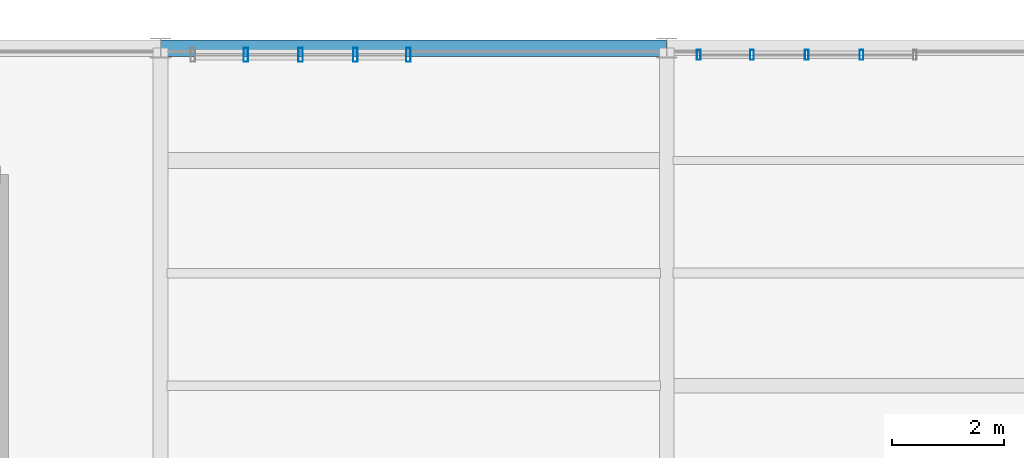
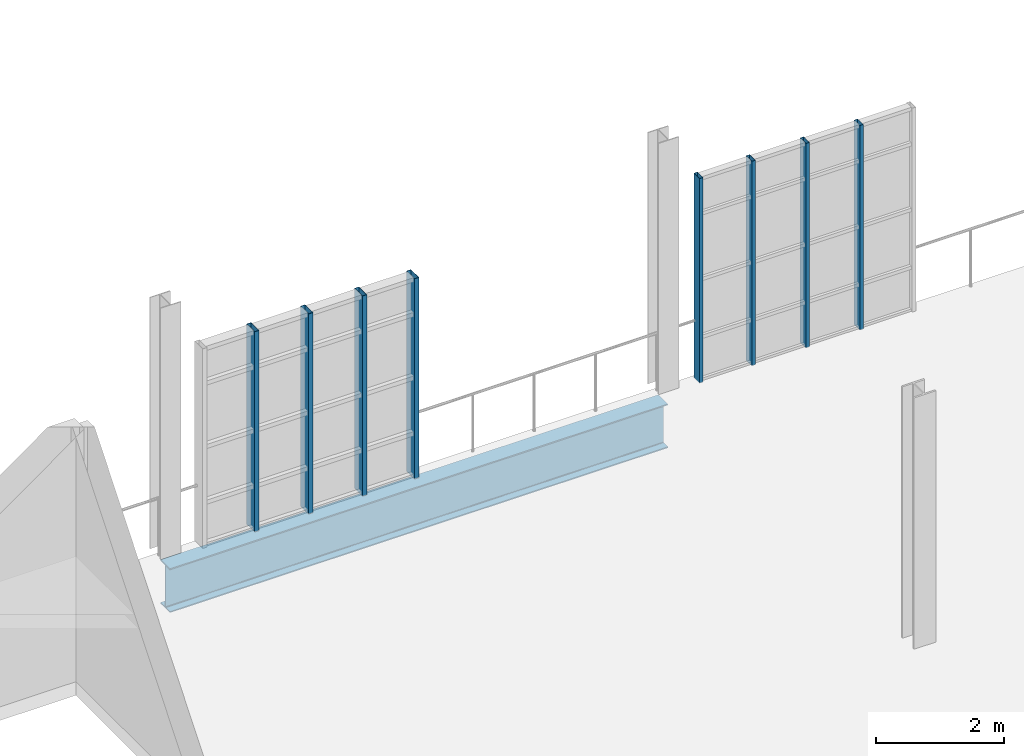
# One storey, part 50 of 122: 8 members, 1 beam, 2 elements without a shape of their own.
"""IFC4 building model written with IfcOpenShell, lengths in metres."""

import ifcopenshell
import ifcopenshell.guid

model = None  # the IFC model being written
_history = None  # IfcOwnerHistory: only IFC2X3 demands one
_inside = {}  # id of a spatial element -> (the spatial element, [elements in it])
_under = {}  # id of a project, library or spatial element -> (it, [spatial elements below it])
_declared = {}  # id of a project -> (the project, [libraries it declares])
_typed = {}  # id of a type object -> (the type object, [elements of that type])
_made_of = {}  # id of a material, layer set ... -> (it, [elements and type objects made of it])


def new_model(schema):
    """Start an empty IFC model of exactly this schema.

    Asked for "IFC4X3", IfcOpenShell would pick the latest addendum, in which some entities
    have other attributes; the version numbers below select the first issue.
    IFC2X3 requires an IfcOwnerHistory on every rooted entity: one is made here for all.
    """
    global model, _history
    if schema == "IFC4X3":
        model = ifcopenshell.file(schema_version=(4, 3, 0, 0))
    else:
        model = ifcopenshell.file(schema=schema)
    _inside.clear()
    _under.clear()
    _declared.clear()
    _typed.clear()
    _made_of.clear()
    _history = None
    if model.schema == "IFC2X3":
        org = make("IfcOrganization", Name="unknown")
        user = make(
            "IfcPersonAndOrganization",
            ThePerson=make("IfcPerson", FamilyName="unknown"),
            TheOrganization=org,
        )
        app = make(
            "IfcApplication",
            ApplicationDeveloper=org,
            Version="unknown",
            ApplicationFullName="unknown",
            ApplicationIdentifier="unknown",
        )
        _history = make(
            "IfcOwnerHistory",
            OwningUser=user,
            OwningApplication=app,
            ChangeAction="ADDED",
            CreationDate=0,
        )
    return model


def make(cls, **values):
    """One entity of the class cls with the attributes given. An attribute that is None is left unset."""
    return model.create_entity(
        cls, **{name: value for name, value in values.items() if value is not None}
    )


def rooted(cls, **values):
    """An entity with a GlobalId (a new one), such as an element, a storey or a relation."""
    return make(cls, GlobalId=ifcopenshell.guid.new(), OwnerHistory=_history, **values)


def si_unit(unit_type, name, prefix=None):
    """IfcSIUnit, for example si_unit("LENGTHUNIT", "METRE", prefix="MILLI")."""
    return make("IfcSIUnit", UnitType=unit_type, Prefix=prefix, Name=name)


def assignment(units):
    """IfcUnitAssignment: the units of a project."""
    return None if units is None else make("IfcUnitAssignment", Units=units)


def point(xyz):
    """IfcCartesianPoint."""
    return None if xyz is None else make("IfcCartesianPoint", Coordinates=xyz)


def direction(xyz):
    """IfcDirection."""
    return None if xyz is None else make("IfcDirection", DirectionRatios=xyz)


def frame(location, z_axis=None, x_axis=None):
    """IfcAxis2Placement3D, a coordinate frame: its origin and axes. An axis left out is left unset."""
    return make(
        "IfcAxis2Placement3D",
        Location=point(location),
        Axis=direction(z_axis),
        RefDirection=direction(x_axis),
    )


def frame_2d(location, x_axis=None):
    """IfcAxis2Placement2D, a coordinate frame in the plane: its origin and x axis."""
    return make(
        "IfcAxis2Placement2D", Location=point(location), RefDirection=direction(x_axis)
    )


def origin():
    """The frame at (0, 0, 0) with its axes left unset."""
    return frame((0.0, 0.0, 0.0))


def origin_2d():
    """The frame at (0, 0) in the plane with its x axis left unset."""
    return frame_2d((0.0, 0.0))


def place(relative_to, where):
    """IfcLocalPlacement: puts the frame where relative to a parent placement (None: the world)."""
    return make(
        "IfcLocalPlacement", PlacementRelTo=relative_to, RelativePlacement=where
    )


def context(
    kind, dimensions, precision=None, world=None, true_north=None, identifier=None
):
    """IfcGeometricRepresentationContext, for example the 3D "Model" context."""
    return make(
        "IfcGeometricRepresentationContext",
        ContextIdentifier=identifier,
        ContextType=kind,
        CoordinateSpaceDimension=dimensions,
        Precision=precision,
        WorldCoordinateSystem=world,
        TrueNorth=true_north,
    )


def subcontext(parent, identifier, kind, view, scale=None):
    """IfcGeometricRepresentationSubContext, for example "Body" below "Model"."""
    return make(
        "IfcGeometricRepresentationSubContext",
        ContextIdentifier=identifier,
        ContextType=kind,
        ParentContext=parent,
        TargetScale=scale,
        TargetView=view,
    )


def project(units=None, contexts=None):
    """IfcProject with its units and contexts."""
    return rooted(
        "IfcProject",
        Name="project",
        RepresentationContexts=contexts,
        UnitsInContext=assignment(units),
    )


def spatial(cls, under=None, at=None, **own):
    """A site, building, storey or space (cls), placed at a placement, below another one or the project."""
    s = rooted(cls, ObjectPlacement=at, **own)
    if under is not None:
        _under.setdefault(under.id(), (under, []))[1].append(s)
    return s


def profile(cls, at=None, kind="AREA", **sizes):
    """A parametric profile (cls). Its sizes go by their IFC names, for example OverallWidth=200.0."""
    return make(cls, ProfileType=kind, Position=at, **sizes)


def hollow_rectangle(**sizes):
    """IfcRectangleHollowProfileDef."""
    return profile("IfcRectangleHollowProfileDef", **sizes)


def i_section(**sizes):
    """IfcIShapeProfileDef."""
    return profile("IfcIShapeProfileDef", **sizes)


def extrude(swept, where, along, depth):
    """IfcExtrudedAreaSolid: the profile swept, set in the frame where, extruded along a direction by depth."""
    return make(
        "IfcExtrudedAreaSolid",
        SweptArea=swept,
        Position=where,
        ExtrudedDirection=direction(along),
        Depth=depth,
    )


def shape(context_of_items, identifier, shape_type, items):
    """IfcShapeRepresentation: the items that make up one representation, for example the "Body"."""
    return make(
        "IfcShapeRepresentation",
        ContextOfItems=context_of_items,
        RepresentationIdentifier=identifier,
        RepresentationType=shape_type,
        Items=items,
    )


def material(Name=None, Category=None):
    """IfcMaterial."""
    return make("IfcMaterial", Name=Name, Category=Category)


def layer(
    of_material, thickness, ventilated=None, Name=None, Category=None, Priority=None
):
    """IfcMaterialLayer: one layer of a wall or slab, of a material (None: an air gap)."""
    return make(
        "IfcMaterialLayer",
        Material=of_material,
        LayerThickness=thickness,
        IsVentilated=ventilated,
        Name=Name,
        Category=Category,
        Priority=Priority,
    )


def layer_set(layers, Name=None):
    """IfcMaterialLayerSet."""
    return make("IfcMaterialLayerSet", MaterialLayers=layers, LayerSetName=Name)


def material_profile(
    of_material, cross_section, Name=None, Category=None, Priority=None
):
    """IfcMaterialProfile: a cross section and its material."""
    return make(
        "IfcMaterialProfile",
        Name=Name,
        Material=of_material,
        Profile=cross_section,
        Priority=Priority,
        Category=Category,
    )


def profile_set(profiles, Name=None, composite=None):
    """IfcMaterialProfileSet."""
    return make(
        "IfcMaterialProfileSet",
        Name=Name,
        MaterialProfiles=profiles,
        CompositeProfile=composite,
    )


def made_of(thing, what):
    """Note that an element or type object is made of a material, layer set ...; save() writes the relation."""
    if what is not None:
        _made_of.setdefault(what.id(), (what, []))[1].append(thing)
    return thing


def type_object(cls, material=None, **own):
    """A type object (cls), such as IfcWallType, which elements share."""
    return made_of(rooted(cls, **own), material)


def element(
    cls,
    number,
    at=None,
    inside=None,
    cuts=None,
    type_object=None,
    material=None,
    context=None,
    identifier="Body",
    shape_type=None,
    held_by="IfcProductDefinitionShape",
    body=None,
    shapes=None,
    **own,
):
    """One element of the class cls, such as IfcWall. Its Tag is "e" and its number.

    at: its placement. inside: the storey or other place that contains it. cuts: it is an
    opening in that element (IfcRelVoidsElement). A single representation is given by context,
    identifier, shape_type and body (its items); several are given by shapes. held_by: the class
    of the entity that holds the representations. save() writes the other relations.
    """
    e = rooted(cls, Tag="e%d" % number, ObjectPlacement=at, **own)
    if body is not None:
        shapes = [shape(context, identifier, shape_type, body)]
    if shapes is not None:
        e.Representation = make(held_by, Representations=shapes)
    if inside is not None:
        _inside.setdefault(inside.id(), (inside, []))[1].append(e)
    if cuts is not None:
        rooted(
            "IfcRelVoidsElement", RelatingBuildingElement=cuts, RelatedOpeningElement=e
        )
    if type_object is not None:
        _typed.setdefault(type_object.id(), (type_object, []))[1].append(e)
    return made_of(e, material)


def aggregate(whole, parts):
    """IfcRelAggregates: a whole, such as a stair, and the parts it consists of."""
    return rooted("IfcRelAggregates", RelatingObject=whole, RelatedObjects=parts)


def save(model, path):
    """Write the relations noted so far, then the file.

    IfcRelAggregates (storeys below a building ...), IfcRelContainedInSpatialStructure (elements
    in a storey), IfcRelDefinesByType, IfcRelAssociatesMaterial and IfcRelDeclares: one each for
    every whole, place, type object, material and project.
    """
    for whole, parts in _under.values():
        aggregate(whole, parts)
    for where, things in _inside.values():
        rooted(
            "IfcRelContainedInSpatialStructure",
            RelatedElements=things,
            RelatingStructure=where,
        )
    for kind, things in _typed.values():
        rooted("IfcRelDefinesByType", RelatedObjects=things, RelatingType=kind)
    for what, things in _made_of.values():
        rooted("IfcRelAssociatesMaterial", RelatedObjects=things, RelatingMaterial=what)
    for by, libraries in _declared.values():
        rooted("IfcRelDeclares", RelatingContext=by, RelatedDefinitions=libraries)
    model.write(path)


model = new_model("IFC4")

# Units and contexts
model_context = context("Model", 3, precision=1e-05, world=origin(), true_north=direction((0.0, 1.0)))
body_context = subcontext(model_context, "Body", "Model", "MODEL_VIEW")
ifc_project = project(units=[si_unit("LENGTHUNIT", "METRE"), si_unit("AREAUNIT", "SQUARE_METRE"), si_unit("VOLUMEUNIT", "CUBIC_METRE"), si_unit("PLANEANGLEUNIT", "RADIAN"), si_unit("MASSUNIT", "GRAM", prefix="KILO"), si_unit("THERMODYNAMICTEMPERATUREUNIT", "KELVIN"), si_unit("POWERUNIT", "WATT")], contexts=[model_context])

# Site, building, storey
site_placement = place(None, origin())
site = spatial("IfcSite", under=ifc_project, at=site_placement, CompositionType="ELEMENT")
building_placement = place(site_placement, origin())
building = spatial("IfcBuilding", under=site, at=building_placement, Name="Zelmaris Science Centre", CompositionType="ELEMENT")
storey_placement = place(building_placement, frame((0.0, 0.0, 10.800048828125)))
storey = spatial("IfcBuildingStorey", under=building, at=storey_placement, Name="L02", CompositionType="ELEMENT", Elevation=10.800048828125)

# Curtain wall, members
ifc_material_1 = material(Name="Anodised architectural aluminium 6063-T6", Category="aluminium")
ifc_layer_1 = layer(ifc_material_1, 0.2099609375, Name="Anodised architectural aluminium 6063-T6")
ifc_layer_set_1 = layer_set([ifc_layer_1], Name="Anodised architectural aluminium 6063-T6")
curtain_wall_type_1 = type_object("IfcCurtainWallType", Name="Curtain Wall CW-03", PredefinedType="USERDEFINED", material=ifc_layer_set_1)
curtain_wall_1_placement = place(storey_placement, origin())
curtain_wall_1 = element("IfcCurtainWall", 1, at=curtain_wall_1_placement, inside=storey, type_object=curtain_wall_type_1, Name="L02 Unitised curtain wall 211", ObjectType="GLAZED CURTAIN WALL", PredefinedType="USERDEFINED")
ifc_material_profile_1 = material_profile(ifc_material_1, hollow_rectangle(XDim=0.06494140625, YDim=0.179931640625, WallThickness=0.00390625, at=origin_2d()), Name="ALU-MUL-65X180")
ifc_profile_set_1 = profile_set([ifc_material_profile_1], Name="Anodised architectural aluminium 6063-T6")
member_type_1 = type_object("IfcMemberType", Name="ALU-MUL-65X180", PredefinedType="MULLION", material=ifc_profile_set_1)
member_1_placement = place(storey_placement, frame((81.568603515625, 87.8798828125, -0.01513671875), z_axis=(0.0, 0.0, 1.0), x_axis=(1.0, 0.0, 0.0)))
member_1 = element("IfcMember", 2, at=member_1_placement, type_object=member_type_1, Name="CW-03 mullion 1", PredefinedType="MULLION", context=body_context, shape_type="SweptSolid", body=[
    extrude(hollow_rectangle(XDim=0.06494140625, YDim=0.179931640625, WallThickness=0.00390625, at=origin_2d()), origin(), (0.0, 0.0, 1.0), 3.908203125),
])
member_2_placement = place(storey_placement, frame((82.514892578125, 87.8798828125, -0.01513671875), z_axis=(0.0, 0.0, 1.0), x_axis=(1.0, 0.0, 0.0)))
member_2 = element("IfcMember", 3, at=member_2_placement, type_object=member_type_1, Name="CW-03 mullion 2", PredefinedType="MULLION", context=body_context, shape_type="SweptSolid", body=[
    extrude(hollow_rectangle(XDim=0.06494140625, YDim=0.179931640625, WallThickness=0.00390625, at=origin_2d()), origin(), (0.0, 0.0, 1.0), 3.908203125),
])
member_3_placement = place(storey_placement, frame((83.489990234375, 87.8798828125, -0.01513671875), z_axis=(0.0, 0.0, 1.0), x_axis=(1.0, 0.0, 0.0)))
member_3 = element("IfcMember", 4, at=member_3_placement, type_object=member_type_1, Name="CW-03 mullion 3", PredefinedType="MULLION", context=body_context, shape_type="SweptSolid", body=[
    extrude(hollow_rectangle(XDim=0.06494140625, YDim=0.179931640625, WallThickness=0.00390625, at=origin_2d()), origin(), (0.0, 0.0, 1.0), 3.908203125),
])
member_4_placement = place(storey_placement, frame((84.465087890625, 87.8798828125, -0.01513671875), z_axis=(0.0, 0.0, 1.0), x_axis=(1.0, 0.0, 0.0)))
member_4 = element("IfcMember", 5, at=member_4_placement, type_object=member_type_1, Name="CW-03 mullion 4", PredefinedType="MULLION", context=body_context, shape_type="SweptSolid", body=[
    extrude(hollow_rectangle(XDim=0.06494140625, YDim=0.179931640625, WallThickness=0.00390625, at=origin_2d()), origin(), (0.0, 0.0, 1.0), 3.908203125),
])
aggregate(curtain_wall_1, [member_1, member_2, member_3, member_4])

ifc_layer_2 = layer(ifc_material_1, 0.18994140625, Name="Anodised architectural aluminium 6063-T6")
ifc_layer_set_2 = layer_set([ifc_layer_2], Name="Anodised architectural aluminium 6063-T6")
curtain_wall_type_2 = type_object("IfcCurtainWallType", Name="Curtain Wall CW-01", PredefinedType="USERDEFINED", material=ifc_layer_set_2)
curtain_wall_2_placement = place(storey_placement, origin())
curtain_wall_2 = element("IfcCurtainWall", 6, at=curtain_wall_2_placement, inside=storey, type_object=curtain_wall_type_2, Name="L02 Unitised curtain wall 209", ObjectType="GLAZED CURTAIN WALL", PredefinedType="USERDEFINED")
ifc_material_profile_2 = material_profile(ifc_material_1, hollow_rectangle(XDim=0.080078125, YDim=0.25, WallThickness=0.0048828125, at=origin_2d()), Name="ALU-MUL-80X250")
ifc_profile_set_2 = profile_set([ifc_material_profile_2], Name="Anodised architectural aluminium 6063-T6")
member_type_2 = type_object("IfcMemberType", Name="ALU-MUL-80X250", PredefinedType="MULLION", material=ifc_profile_set_2)
member_5_placement = place(storey_placement, frame((73.514892578125, 87.8798828125, -0.01513671875), z_axis=(0.0, 0.0, 1.0), x_axis=(1.0, 0.0, 0.0)))
member_5 = element("IfcMember", 7, at=member_5_placement, type_object=member_type_2, Name="CW-01 mullion 2", PredefinedType="MULLION", context=body_context, shape_type="SweptSolid", body=[
    extrude(hollow_rectangle(XDim=0.080078125, YDim=0.25, WallThickness=0.0048828125, at=origin_2d()), origin(), (0.0, 0.0, 1.0), 3.8271484375),
])
member_6_placement = place(storey_placement, frame((74.489990234375, 87.8798828125, -0.01513671875), z_axis=(0.0, 0.0, 1.0), x_axis=(1.0, 0.0, 0.0)))
member_6 = element("IfcMember", 8, at=member_6_placement, type_object=member_type_2, Name="CW-01 mullion 3", PredefinedType="MULLION", context=body_context, shape_type="SweptSolid", body=[
    extrude(hollow_rectangle(XDim=0.080078125, YDim=0.25, WallThickness=0.0048828125, at=origin_2d()), origin(), (0.0, 0.0, 1.0), 3.8271484375),
])
member_7_placement = place(storey_placement, frame((75.465087890625, 87.8798828125, -0.01513671875), z_axis=(0.0, 0.0, 1.0), x_axis=(1.0, 0.0, 0.0)))
member_7 = element("IfcMember", 9, at=member_7_placement, type_object=member_type_2, Name="CW-01 mullion 4", PredefinedType="MULLION", context=body_context, shape_type="SweptSolid", body=[
    extrude(hollow_rectangle(XDim=0.080078125, YDim=0.25, WallThickness=0.0048828125, at=origin_2d()), origin(), (0.0, 0.0, 1.0), 3.8271484375),
])
member_8_placement = place(storey_placement, frame((76.404052734375, 87.8798828125, -0.01513671875), z_axis=(0.0, 0.0, 1.0), x_axis=(1.0, 0.0, 0.0)))
member_8 = element("IfcMember", 10, at=member_8_placement, type_object=member_type_2, Name="CW-01 mullion 5", PredefinedType="MULLION", context=body_context, shape_type="SweptSolid", body=[
    extrude(hollow_rectangle(XDim=0.080078125, YDim=0.25, WallThickness=0.0048828125, at=origin_2d()), origin(), (0.0, 0.0, 1.0), 3.8271484375),
])
aggregate(curtain_wall_2, [member_5, member_6, member_7, member_8])

# Beam
ifc_material_2 = material(Name="Steel ASTM A992 Grade 50", Category="steel")
ifc_material_profile_3 = material_profile(ifc_material_2, i_section(OverallWidth=0.2919921875, OverallDepth=0.841064453125, WebThickness=0.0146484375, FlangeThickness=0.021728515625, FilletRadius=0.02001953125, at=origin_2d()), Name="W33X130")
ifc_profile_set_3 = profile_set([ifc_material_profile_3], Name="Steel ASTM A992 Grade 50")
beam_type = type_object("IfcBeamType", Name="Beam G-07 W33X130", PredefinedType="BEAM", material=ifc_profile_set_3)
beam_placement = place(storey_placement, frame((72.0, 88.0, -0.6806640625), z_axis=(1.0, 0.0, 0.0), x_axis=(0.0, 1.0, 0.0)))
element("IfcBeam", 11, at=beam_placement, inside=storey, type_object=beam_type, Name="L02 East-west girder 592", PredefinedType="BEAM", context=body_context, shape_type="SweptSolid", body=[
    extrude(i_section(OverallWidth=0.2919921875, OverallDepth=0.841064453125, WebThickness=0.0146484375, FlangeThickness=0.021728515625, FilletRadius=0.02001953125, at=origin_2d()), origin(), (0.0, 0.0, 1.0), 9.0),
])

save(model, "model.ifc")
